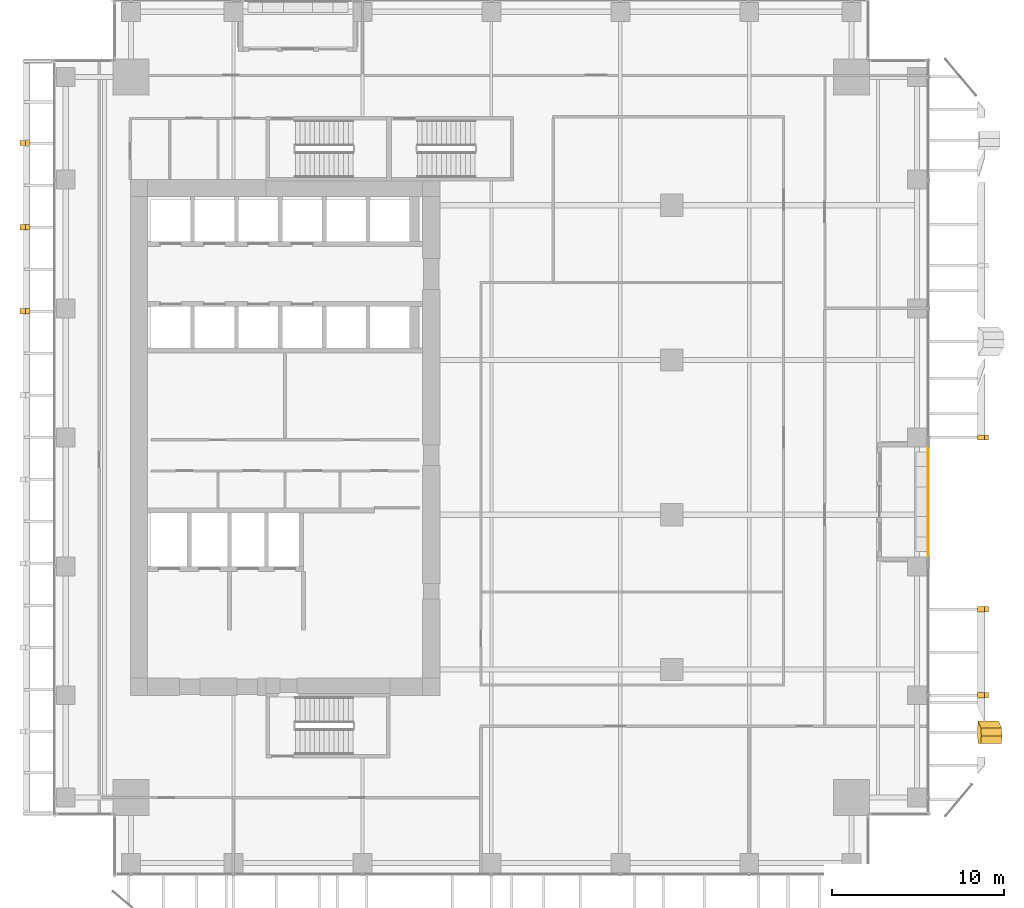
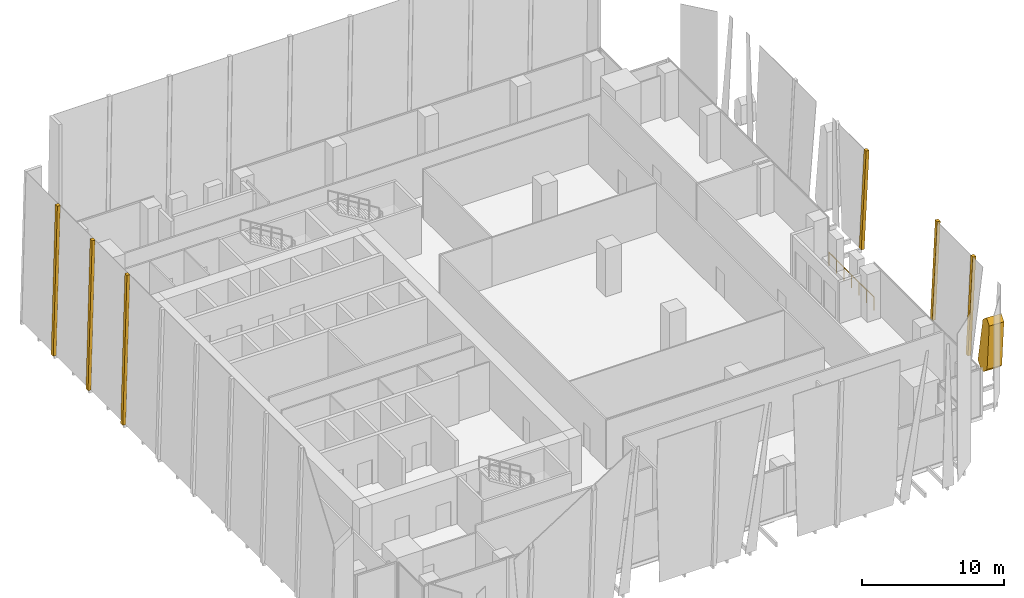
# One storey, part 33 of 36: 7 coverings, 1 railing.
"""IFC4 building model written with IfcOpenShell, lengths in metres."""

from ifc_helpers import new_model, si_unit, direction, frame, origin, origin_2d, place, context, subcontext, project, spatial, polyline, circle, outline, extrude, source, transform, mapped, material, layer, layer_set, type_object, element, save


model = new_model("IFC4")

# Units and contexts
model_context = context("Model", 3, precision=1e-05, world=origin(), true_north=direction((0.0, 1.0)))
body_context = subcontext(model_context, "Body", "Model", "MODEL_VIEW")
ifc_project = project(units=[si_unit("LENGTHUNIT", "METRE"), si_unit("AREAUNIT", "SQUARE_METRE"), si_unit("VOLUMEUNIT", "CUBIC_METRE"), si_unit("PLANEANGLEUNIT", "RADIAN"), si_unit("MASSUNIT", "GRAM", prefix="KILO")], contexts=[model_context])

# Site, building, storey
site_placement = place(None, origin())
site = spatial("IfcSite", under=ifc_project, at=site_placement, CompositionType="ELEMENT")
building_placement = place(site_placement, origin())
building = spatial("IfcBuilding", under=site, at=building_placement, Name="Khomas Fold Tower", CompositionType="ELEMENT")
storey_placement = place(building_placement, frame((0.0, 0.0, 141.10009765625)))
storey = spatial("IfcBuildingStorey", under=building, at=storey_placement, Name="L30", CompositionType="ELEMENT", Elevation=141.10009765625)

# Coverings
ifc_material_1 = material(Name="Natural stone cladding", Category="masonry")
ifc_layer_1 = layer(ifc_material_1, 0.25)
ifc_layer_set_1 = layer_set([ifc_layer_1], Name="Natural stone cladding")
covering_type_1 = type_object("IfcCoveringType", Name="SK-Karibib marble stone mullion", PredefinedType="CLADDING", material=ifc_layer_set_1)
for number, where, z_axis, x_axis, name in (
    (1, (55.27978515625, 11.85009765625, 0.0), (-0.998875921393, 0.0, 0.047401409913), (0.047401409913, 0.0, 0.998875921393), "OUTER SKIN mullion L30 EM100-4"),
    (2, (55.27978515625, 16.85009765625, 0.0), (-0.998875921393, 0.0, 0.047401409913), (0.047401409913, 0.0, 0.998875921393), "OUTER SKIN mullion L30 EM101-6"),
    (3, (55.676025390625, 27.14990234375, 8.349853515625), (-0.998875921393, 0.0, 0.047401409913), (-0.047401409913, 0.0, -0.998875921393), "OUTER SKIN mullion L30 EM103-8"),
):
    element("IfcCovering", number, at=place(storey_placement, frame(where, z_axis=z_axis, x_axis=x_axis)), inside=storey, type_object=covering_type_1, Name=name, PredefinedType="CLADDING", context=body_context, shape_type="SweptSolid", body=[
        extrude(outline(polyline([(0.0, 0.0), (8.359249969688234, 0.0), (8.359249969688234, 0.2998046875), (0.0, 0.2998046875), (0.0, 0.0)])), origin(), (0.0, 0.0, -1.0), 0.25),
    ])
for number, where, z_axis, x_axis, name in (
    (4, (-0.412841796875, 34.183349609375, 0.00634765625), (-0.999657592188, 0.0, 0.026166741891), (0.0, 1.0, 0.0), "OUTER SKIN mullion L30 W12"),
    (5, (-0.412841796875, 39.072265625, 0.00634765625), (-0.999657592188, 0.0, 0.026166741891), (0.0, 1.0, 0.0), "OUTER SKIN mullion L30 W14"),
    (6, (-0.412841796875, 43.961181640625, 0.00634765625), (-0.999657592188, 0.0, 0.026166741891), (0.0, 1.0, 0.0), "OUTER SKIN mullion L30 W16"),
):
    element("IfcCovering", number, at=place(storey_placement, frame(where, z_axis=z_axis, x_axis=x_axis)), inside=storey, type_object=covering_type_1, Name=name, PredefinedType="CLADDING", context=body_context, shape_type="SweptSolid", body=[
        extrude(outline(polyline([(0.0, 0.0), (0.300048828125, 0.0), (0.300048828125, -12.754367194966619), (0.0, -12.754367194966619), (0.0, 0.0)])), origin(), (0.0, 0.0, -1.0), 0.25),
    ])
ifc_material_2 = material(Name="Natural stone cladding", Category="masonry")
ifc_layer_2 = layer(ifc_material_2, 1.199951171875)
ifc_layer_set_2 = layer_set([ifc_layer_2], Name="Natural stone cladding")
covering_type_2 = type_object("IfcCoveringType", Name="SK-Karibib marble stone panel", PredefinedType="CLADDING", material=ifc_layer_set_2)
covering_placement = place(storey_placement, frame((55.496337890625, 9.625732421875, 4.56396484375), z_axis=(-0.998875915913, 2.3196818e-05, 0.047401519715), x_axis=(-0.030699785169, 0.761617940602, -0.647298722186)))
element("IfcCovering", 7, at=covering_placement, inside=storey, type_object=covering_type_2, Name="OUTER SKIN leaf L30 ES03-1", PredefinedType="CLADDING", context=body_context, shape_type="SweptSolid", body=[
    extrude(outline(polyline([(0.0, 0.0), (0.6193127310341325, 5.551115123125783e-17), (3.2984640165411148, 2.5376956725458717), (3.2810886512973423, 3.2074713004429047), (2.9793049800091103, 3.4642454015451523), (2.344709205881121, 3.4127531221099736), (-0.03285184528239765, 0.6184327404192194), (0.0, 0.0)])), origin(), (0.0, 0.0, -1.0), 1.199951171875),
])

# Railing
ifc_material_3 = material(Name="Powder-coated steel", Category="steel")
railing_type = type_object("IfcRailingType", Name="Balcony guard", PredefinedType="GUARDRAIL", material=ifc_material_3)
shared_shape = source(origin(), body_context, "Body", "SweptSolid", [
    extrude(circle(Radius=0.02490234375, at=origin_2d()), frame((0.0, 0.0, 1.125), z_axis=(0.0, 1.0, 0.0), x_axis=(-1.0, 0.0, 0.0)), (0.0, 0.0, 1.0), 6.33984375),
    extrude(circle(Radius=0.02001953125, at=origin_2d()), origin(), (0.0, 0.0, 1.0), 1.099853515625),
    extrude(circle(Radius=0.02001953125, at=origin_2d()), frame((0.0, 1.056640625, 0.0)), (0.0, 0.0, 1.0), 1.099853515625),
    extrude(circle(Radius=0.02001953125, at=origin_2d()), frame((0.0, 2.11328125, 0.0)), (0.0, 0.0, 1.0), 1.099853515625),
    extrude(circle(Radius=0.02001953125, at=origin_2d()), frame((0.0, 3.169921875, 0.0)), (0.0, 0.0, 1.0), 1.099853515625),
    extrude(circle(Radius=0.02001953125, at=origin_2d()), frame((0.0, 4.2265625, 0.0)), (0.0, 0.0, 1.0), 1.099853515625),
    extrude(circle(Radius=0.02001953125, at=origin_2d()), frame((0.0, 5.283203125, 0.0)), (0.0, 0.0, 1.0), 1.099853515625),
    extrude(circle(Radius=0.02001953125, at=origin_2d()), frame((0.0, 6.33984375, 0.0)), (0.0, 0.0, 1.0), 1.099853515625),
])
railing_placement = place(storey_placement, frame((52.39990234375, 20.080078125, -0.045166015625)))
element("IfcRailing", 8, at=railing_placement, inside=storey, type_object=railing_type, Name="Balcony guard BAL-L30-E2", PredefinedType="GUARDRAIL", context=body_context, shape_type="MappedRepresentation", body=[
    mapped(shared_shape, transform((0.0, 0.0, 0.0))),
])

save(model, "model.ifc")
